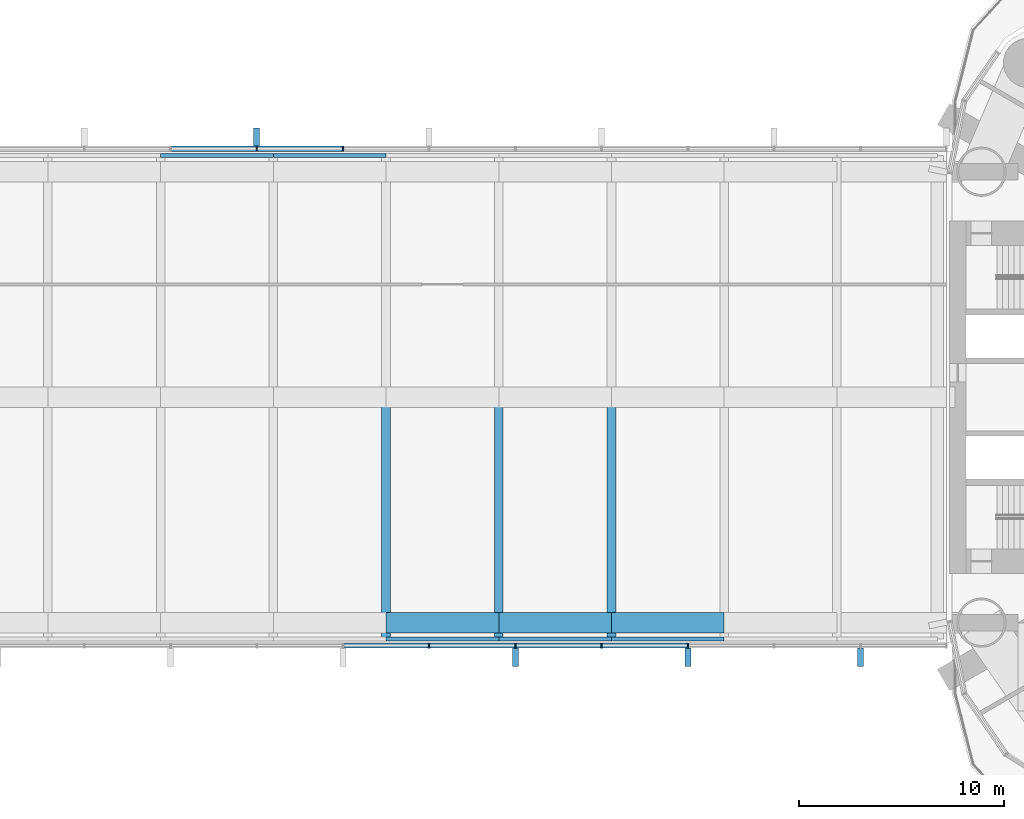
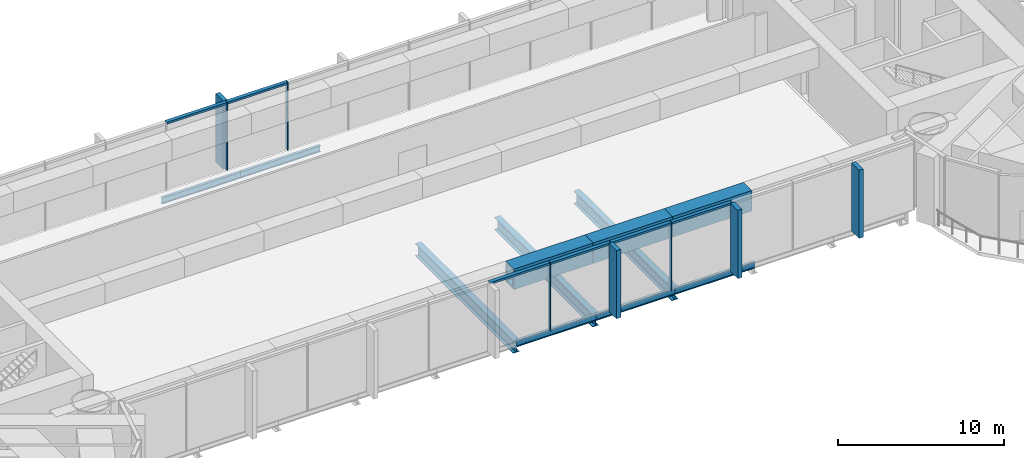
# One storey, part 6 of 22: 19 members, 8 beams, 2 elements without a shape of their own.
"""IFC4 building model written with IfcOpenShell, lengths in metres."""

from ifc_helpers import new_model, si_unit, direction, frame, origin, origin_2d, place, context, subcontext, project, spatial, rectangle, hollow_rectangle, i_section, extrude, material, material_profile, profile_set, type_object, element, aggregate, save


model = new_model("IFC4")

# Units and contexts
model_context = context("Model", 3, precision=1e-05, world=origin(), true_north=direction((0.0, 1.0)))
body_context = subcontext(model_context, "Body", "Model", "MODEL_VIEW")
ifc_project = project(units=[si_unit("LENGTHUNIT", "METRE"), si_unit("AREAUNIT", "SQUARE_METRE"), si_unit("VOLUMEUNIT", "CUBIC_METRE"), si_unit("PLANEANGLEUNIT", "RADIAN"), si_unit("MASSUNIT", "GRAM", prefix="KILO")], contexts=[model_context])

# Site, building, storey
site_placement = place(None, origin())
site = spatial("IfcSite", under=ifc_project, at=site_placement, CompositionType="ELEMENT")
building_placement = place(site_placement, origin())
building = spatial("IfcBuilding", under=site, at=building_placement, Name="Lancet Gate Hotel", CompositionType="ELEMENT")
storey_placement = place(building_placement, frame((0.0, 0.0, 210.300048828125)))
storey = spatial("IfcBuildingStorey", under=building, at=storey_placement, Name="L56", CompositionType="ELEMENT", Elevation=210.300048828125)

# Curtain wall, members
ifc_material_1 = material(Name="Aluminium curtain wall", Category="aluminium")
curtain_wall_type = type_object("IfcCurtainWallType", Name="Refuge storey louvred curtain wall", PredefinedType="USERDEFINED", material=ifc_material_1)
curtain_wall_1_placement = place(storey_placement, origin())
curtain_wall_1 = element("IfcCurtainWall", 1, at=curtain_wall_1_placement, inside=storey, type_object=curtain_wall_type, Name="Bridge block L56 curtain wall S", ObjectType="LANTERN GLAZING", PredefinedType="USERDEFINED")
ifc_material_2 = material(Name="Aluminium mullion", Category="aluminium")
ifc_material_profile_1 = material_profile(ifc_material_2, rectangle(XDim=0.06494140625, YDim=0.25, at=origin_2d()), Name="MULLION 65x250")
ifc_profile_set_1 = profile_set([ifc_material_profile_1], Name="Aluminium mullion")
member_type_1 = type_object("IfcMemberType", Name="Aluminium mullion 65x250", PredefinedType="MULLION", material=ifc_profile_set_1)
member_1_placement = place(storey_placement, frame((2.103759765625, -12.1201171875, 0.0), z_axis=(0.0, 0.0, 1.0), x_axis=(1.0, 0.0, 0.0)))
member_1 = element("IfcMember", 2, at=member_1_placement, type_object=member_type_1, Name="Bridge block L56 curtain wall S mullion 8", PredefinedType="MULLION", context=body_context, shape_type="SweptSolid", body=[
    extrude(rectangle(XDim=0.06494140625, YDim=0.25, at=origin_2d()), origin(), (0.0, 0.0, 1.0), 5.0),
])
member_2_placement = place(storey_placement, frame((6.3115234375, -12.1201171875, 0.0), z_axis=(0.0, 0.0, 1.0), x_axis=(1.0, 0.0, 0.0)))
member_2 = element("IfcMember", 3, at=member_2_placement, type_object=member_type_1, Name="Bridge block L56 curtain wall S mullion 9", PredefinedType="MULLION", context=body_context, shape_type="SweptSolid", body=[
    extrude(rectangle(XDim=0.06494140625, YDim=0.25, at=origin_2d()), origin(), (0.0, 0.0, 1.0), 5.0),
])
member_3_placement = place(storey_placement, frame((10.519287109375, -12.1201171875, 0.0), z_axis=(0.0, 0.0, 1.0), x_axis=(1.0, 0.0, 0.0)))
member_3 = element("IfcMember", 4, at=member_3_placement, type_object=member_type_1, Name="Bridge block L56 curtain wall S mullion 10", PredefinedType="MULLION", context=body_context, shape_type="SweptSolid", body=[
    extrude(rectangle(XDim=0.06494140625, YDim=0.25, at=origin_2d()), origin(), (0.0, 0.0, 1.0), 5.0),
])
member_4_placement = place(storey_placement, frame((14.726806640625, -12.1201171875, 0.0), z_axis=(0.0, 0.0, 1.0), x_axis=(1.0, 0.0, 0.0)))
member_4 = element("IfcMember", 5, at=member_4_placement, type_object=member_type_1, Name="Bridge block L56 curtain wall S mullion 11", PredefinedType="MULLION", context=body_context, shape_type="SweptSolid", body=[
    extrude(rectangle(XDim=0.06494140625, YDim=0.25, at=origin_2d()), origin(), (0.0, 0.0, 1.0), 5.0),
])

curtain_wall_2_placement = place(storey_placement, origin())
curtain_wall_2 = element("IfcCurtainWall", 6, at=curtain_wall_2_placement, inside=storey, type_object=curtain_wall_type, Name="Bridge block L56 curtain wall N", ObjectType="LANTERN GLAZING", PredefinedType="USERDEFINED")
member_5_placement = place(storey_placement, frame((-2.103759765625, 12.1201171875, 0.0), z_axis=(0.0, 0.0, 1.0), x_axis=(-1.0, 0.0, 0.0)))
member_5 = element("IfcMember", 7, at=member_5_placement, type_object=member_type_1, Name="Bridge block L56 curtain wall N mullion 8", PredefinedType="MULLION", context=body_context, shape_type="SweptSolid", body=[
    extrude(rectangle(XDim=0.06494140625, YDim=0.25, at=origin_2d()), origin(), (0.0, 0.0, 1.0), 5.0),
])
member_6_placement = place(storey_placement, frame((-6.3115234375, 12.1201171875, 0.0), z_axis=(0.0, 0.0, 1.0), x_axis=(-1.0, 0.0, 0.0)))
member_6 = element("IfcMember", 8, at=member_6_placement, type_object=member_type_1, Name="Bridge block L56 curtain wall N mullion 9", PredefinedType="MULLION", context=body_context, shape_type="SweptSolid", body=[
    extrude(rectangle(XDim=0.06494140625, YDim=0.25, at=origin_2d()), origin(), (0.0, 0.0, 1.0), 5.0),
])

# Member
ifc_material_3 = material(Name="Aluminium transom", Category="aluminium")
ifc_material_profile_2 = material_profile(ifc_material_3, rectangle(XDim=0.25, YDim=0.14990234375, at=origin_2d()), Name="TRANSOM 250x150")
ifc_profile_set_2 = profile_set([ifc_material_profile_2], Name="Aluminium transom")
member_type_2 = type_object("IfcMemberType", Name="Aluminium transom 250x150", PredefinedType="USERDEFINED", material=ifc_profile_set_2)
member_7_placement = place(storey_placement, frame((-2.0712890625, -12.1201171875, 4.925048828125), z_axis=(1.0, 0.0, 0.0), x_axis=(0.0, 1.0, 0.0)))
member_7 = element("IfcMember", 9, at=member_7_placement, type_object=member_type_2, Name="Bridge block L56 curtain wall S transom 7", ObjectType="TRANSOM", PredefinedType="USERDEFINED", context=body_context, shape_type="SweptSolid", body=[
    extrude(rectangle(XDim=0.25, YDim=0.14990234375, at=origin_2d()), origin(), (0.0, 0.0, 1.0), 4.142578125),
])

member_8_placement = place(storey_placement, frame((2.13623046875, -12.1201171875, 4.925048828125), z_axis=(1.0, 0.0, 0.0), x_axis=(0.0, 1.0, 0.0)))
member_8 = element("IfcMember", 10, at=member_8_placement, type_object=member_type_2, Name="Bridge block L56 curtain wall S transom 8", ObjectType="TRANSOM", PredefinedType="USERDEFINED", context=body_context, shape_type="SweptSolid", body=[
    extrude(rectangle(XDim=0.25, YDim=0.14990234375, at=origin_2d()), origin(), (0.0, 0.0, 1.0), 4.142822265625),
])

member_9_placement = place(storey_placement, frame((6.343994140625, -12.1201171875, 4.925048828125), z_axis=(1.0, 0.0, 0.0), x_axis=(0.0, 1.0, 0.0)))
member_9 = element("IfcMember", 11, at=member_9_placement, type_object=member_type_2, Name="Bridge block L56 curtain wall S transom 9", ObjectType="TRANSOM", PredefinedType="USERDEFINED", context=body_context, shape_type="SweptSolid", body=[
    extrude(rectangle(XDim=0.25, YDim=0.14990234375, at=origin_2d()), origin(), (0.0, 0.0, 1.0), 4.142822265625),
])

member_10_placement = place(storey_placement, frame((10.5517578125, -12.1201171875, 4.925048828125), z_axis=(1.0, 0.0, 0.0), x_axis=(0.0, 1.0, 0.0)))
member_10 = element("IfcMember", 12, at=member_10_placement, type_object=member_type_2, Name="Bridge block L56 curtain wall S transom 10", ObjectType="TRANSOM", PredefinedType="USERDEFINED", context=body_context, shape_type="SweptSolid", body=[
    extrude(rectangle(XDim=0.25, YDim=0.14990234375, at=origin_2d()), origin(), (0.0, 0.0, 1.0), 4.142578125),
])

member_11_placement = place(storey_placement, frame((-2.13623046875, 12.1201171875, 4.925048828125), z_axis=(-1.0, 0.0, 0.0), x_axis=(0.0, -1.0, 0.0)))
member_11 = element("IfcMember", 13, at=member_11_placement, type_object=member_type_2, Name="Bridge block L56 curtain wall N transom 8", ObjectType="TRANSOM", PredefinedType="USERDEFINED", context=body_context, shape_type="SweptSolid", body=[
    extrude(rectangle(XDim=0.25, YDim=0.14990234375, at=origin_2d()), origin(), (0.0, 0.0, 1.0), 4.142822265625),
])

member_12_placement = place(storey_placement, frame((-6.343994140625, 12.1201171875, 4.925048828125), z_axis=(-1.0, 0.0, 0.0), x_axis=(0.0, -1.0, 0.0)))
member_12 = element("IfcMember", 14, at=member_12_placement, type_object=member_type_2, Name="Bridge block L56 curtain wall N transom 9", ObjectType="TRANSOM", PredefinedType="USERDEFINED", context=body_context, shape_type="SweptSolid", body=[
    extrude(rectangle(XDim=0.25, YDim=0.14990234375, at=origin_2d()), origin(), (0.0, 0.0, 1.0), 4.142822265625),
])

# Beams
ifc_material_4 = material(Name="Steel S355", Category="steel")
ifc_material_profile_3 = material_profile(ifc_material_4, i_section(OverallWidth=0.19140625, OverallDepth=0.4599609375, WebThickness=0.010009765625, FlangeThickness=0.01611328125, FilletRadius=0.01025390625, at=origin_2d()), Name="UKB 457x191x82")
ifc_profile_set_3 = profile_set([ifc_material_profile_3], Name="Steel S355")
beam_type_1 = type_object("IfcBeamType", Name="Block edge beam UKB 457x191x82", PredefinedType="SPANDREL", material=ifc_profile_set_3)
for number, where, z_axis, x_axis, name in (
    (15, (-11.0, 11.800048828125, -0.429931640625), (1.0, 0.0, 0.0), (0.0, 1.0, 0.0), "Block edge beam N 3-4 L56"),
    (16, (-5.5, 11.800048828125, -0.429931640625), (1.0, 0.0, 0.0), (0.0, 1.0, 0.0), "Block edge beam N 4-5 L56"),
    (17, (0.0, -11.800048828125, -0.429931640625), (1.0, 0.0, 0.0), (0.0, 1.0, 0.0), "Block edge beam S 5-6 L56"),
    (18, (5.5, -11.800048828125, -0.429931640625), (1.0, 0.0, 0.0), (0.0, 1.0, 0.0), "Block edge beam S 6-7 L56"),
    (19, (11.0, -11.800048828125, -0.429931640625), (1.0, 0.0, 0.0), (0.0, 1.0, 0.0), "Block edge beam S 7-8 L56"),
):
    element("IfcBeam", number, at=place(storey_placement, frame(where, z_axis=z_axis, x_axis=x_axis)), inside=storey, type_object=beam_type_1, Name=name, PredefinedType="SPANDREL", context=body_context, shape_type="SweptSolid", body=[
        extrude(i_section(OverallWidth=0.19140625, OverallDepth=0.4599609375, WebThickness=0.010009765625, FlangeThickness=0.01611328125, FilletRadius=0.01025390625, at=origin_2d()), origin(), (0.0, 0.0, 1.0), 5.5),
    ])
ifc_material_5 = material(Name="Steel S355", Category="steel")
ifc_material_profile_4 = material_profile(ifc_material_5, i_section(OverallWidth=0.42041015625, OverallDepth=0.9208984375, WebThickness=0.021484375, FlangeThickness=0.03662109375, FilletRadius=0.024169921875, at=origin_2d()), Name="UKB 914x419x388")
ifc_profile_set_4 = profile_set([ifc_material_profile_4], Name="Steel S355")
beam_type_2 = type_object("IfcBeamType", Name="Block plant floor beam UKB 914x419x388", PredefinedType="JOIST", material=ifc_profile_set_4)
for number, where, z_axis, x_axis, name in (
    (20, (0.0, -11.800048828125, -0.66064453125), (0.0, 1.0, 0.0), (-1.0, 0.0, 0.0), "Block beam x5 S L56"),
    (21, (5.5, -11.800048828125, -0.66064453125), (0.0, 1.0, 0.0), (-1.0, 0.0, 0.0), "Block beam x6 S L56"),
    (22, (11.0, -11.800048828125, -0.66064453125), (0.0, 1.0, 0.0), (-1.0, 0.0, 0.0), "Block beam x7 S L56"),
):
    element("IfcBeam", number, at=place(storey_placement, frame(where, z_axis=z_axis, x_axis=x_axis)), inside=storey, type_object=beam_type_2, Name=name, PredefinedType="JOIST", context=body_context, shape_type="SweptSolid", body=[
        extrude(i_section(OverallWidth=0.42041015625, OverallDepth=0.9208984375, WebThickness=0.021484375, FlangeThickness=0.03662109375, FilletRadius=0.024169921875, at=origin_2d()), origin(), (0.0, 0.0, 1.0), 11.800048828125),
    ])

# Member
ifc_material_6 = material(Name="Precast concrete C50/60", Category="concrete")
ifc_material_profile_5 = material_profile(ifc_material_6, rectangle(XDim=0.300048828125, YDim=0.89990234375, at=origin_2d()), Name="FIN 300x900")
ifc_profile_set_5 = profile_set([ifc_material_profile_5], Name="Precast concrete C50/60")
member_type_3 = type_object("IfcMemberType", Name="Exposed concrete fin 300x900", PredefinedType="USERDEFINED", material=ifc_profile_set_5)
member_13_placement = place(storey_placement, frame((6.3115234375, -12.695068359375, 0.0), z_axis=(0.0, 0.0, 1.0), x_axis=(1.0, 0.0, 0.0)))
member_13 = element("IfcMember", 23, at=member_13_placement, type_object=member_type_3, Name="Bridge block L56 curtain wall S fin 9", ObjectType="FIN", PredefinedType="USERDEFINED", context=body_context, shape_type="SweptSolid", body=[
    extrude(rectangle(XDim=0.300048828125, YDim=0.89990234375, at=origin_2d()), origin(), (0.0, 0.0, 1.0), 5.0),
])

member_14_placement = place(storey_placement, frame((14.726806640625, -12.695068359375, 0.0), z_axis=(0.0, 0.0, 1.0), x_axis=(1.0, 0.0, 0.0)))
member_14 = element("IfcMember", 24, at=member_14_placement, type_object=member_type_3, Name="Bridge block L56 curtain wall S fin 11", ObjectType="FIN", PredefinedType="USERDEFINED", context=body_context, shape_type="SweptSolid", body=[
    extrude(rectangle(XDim=0.300048828125, YDim=0.89990234375, at=origin_2d()), origin(), (0.0, 0.0, 1.0), 5.0),
])

member_15_placement = place(storey_placement, frame((23.142333984375, -12.695068359375, 0.0), z_axis=(0.0, 0.0, 1.0), x_axis=(1.0, 0.0, 0.0)))
member_15 = element("IfcMember", 25, at=member_15_placement, type_object=member_type_3, Name="Bridge block L56 curtain wall S fin 13", ObjectType="FIN", PredefinedType="USERDEFINED", context=body_context, shape_type="SweptSolid", body=[
    extrude(rectangle(XDim=0.300048828125, YDim=0.89990234375, at=origin_2d()), origin(), (0.0, 0.0, 1.0), 5.0),
])

aggregate(curtain_wall_1, [member_1, member_2, member_13, member_3, member_4, member_14, member_15, member_7, member_8, member_9, member_10])

member_16_placement = place(storey_placement, frame((-6.3115234375, 12.695068359375, 0.0), z_axis=(0.0, 0.0, 1.0), x_axis=(-1.0, 0.0, 0.0)))
member_16 = element("IfcMember", 26, at=member_16_placement, type_object=member_type_3, Name="Bridge block L56 curtain wall N fin 9", ObjectType="FIN", PredefinedType="USERDEFINED", context=body_context, shape_type="SweptSolid", body=[
    extrude(rectangle(XDim=0.300048828125, YDim=0.89990234375, at=origin_2d()), origin(), (0.0, 0.0, 1.0), 5.0),
])

aggregate(curtain_wall_2, [member_5, member_6, member_16, member_11, member_12])

# Members
ifc_material_7 = material(Name="Steel S460QL", Category="steel")
ifc_material_profile_6 = material_profile(ifc_material_7, hollow_rectangle(XDim=1.0, YDim=1.5, WallThickness=0.14990234375, at=origin_2d()), Name="BOX 1500x1000x150")
ifc_profile_set_6 = profile_set([ifc_material_profile_6], Name="Steel S460QL")
member_type_4 = type_object("IfcMemberType", Name="Truss chord BOX 1500x1000x150", PredefinedType="CHORD", material=ifc_profile_set_6)
for number, where, z_axis, x_axis, name in (
    (27, (0.0, -11.0, 4.050048828125), (1.0, 0.0, 0.0), (0.0, 1.0, 0.0), "Truss S top chord panel 6"),
    (28, (5.5, -11.0, 4.050048828125), (1.0, 0.0, 0.0), (0.0, 1.0, 0.0), "Truss S top chord panel 7"),
    (29, (11.0, -11.0, 4.050048828125), (1.0, 0.0, 0.0), (0.0, 1.0, 0.0), "Truss S top chord panel 8"),
):
    element("IfcMember", number, at=place(storey_placement, frame(where, z_axis=z_axis, x_axis=x_axis)), inside=storey, type_object=member_type_4, Name=name, PredefinedType="CHORD", context=body_context, shape_type="SweptSolid", body=[
        extrude(hollow_rectangle(XDim=1.0, YDim=1.5, WallThickness=0.14990234375, at=origin_2d()), origin(), (0.0, 0.0, 1.0), 5.5),
    ])

save(model, "model.ifc")
